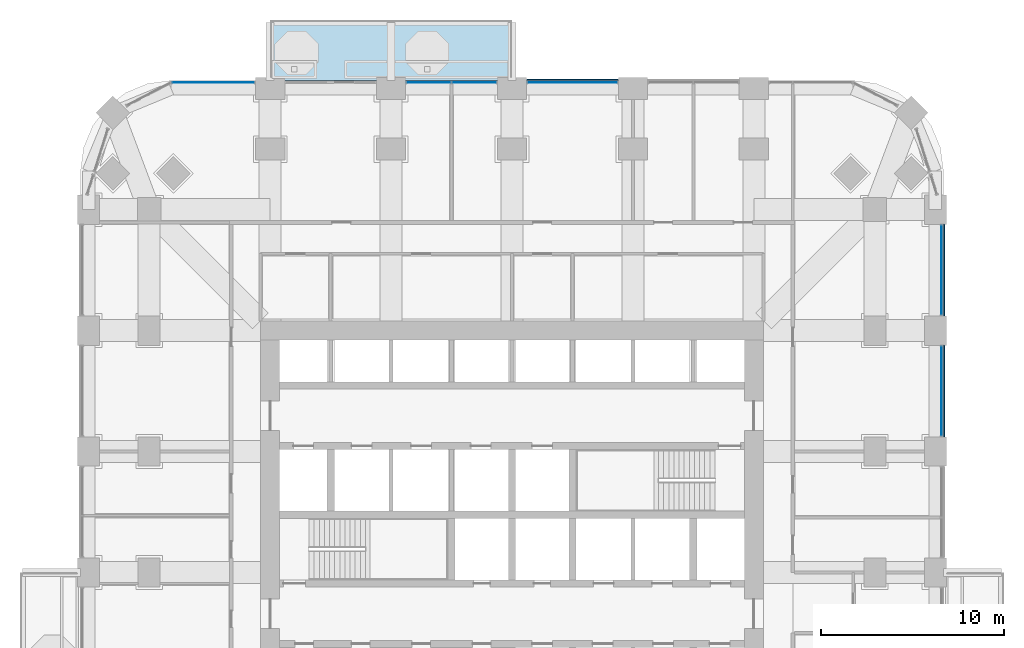
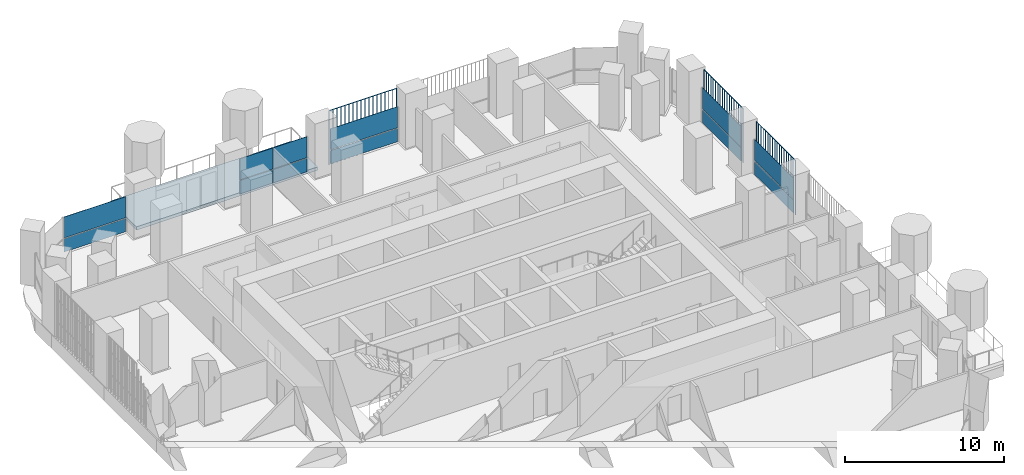
# One storey, part 11 of 21: 15 plates, 1 slab, 5 elements without a shape of their own.
"""IFC4 building model written with IfcOpenShell, lengths in metres."""

from ifc_helpers import new_model, si_unit, direction, frame, origin, origin_2d, place, context, subcontext, project, spatial, polyline, rectangle, outline, extrude, material, layer, layer_set, type_object, element, aggregate, save


model = new_model("IFC4")

# Units and contexts
model_context = context("Model", 3, precision=1e-05, world=origin(), true_north=direction((0.0, 1.0)))
body_context = subcontext(model_context, "Body", "Model", "MODEL_VIEW")
ifc_project = project(units=[si_unit("LENGTHUNIT", "METRE"), si_unit("AREAUNIT", "SQUARE_METRE"), si_unit("VOLUMEUNIT", "CUBIC_METRE"), si_unit("PLANEANGLEUNIT", "RADIAN"), si_unit("MASSUNIT", "GRAM", prefix="KILO")], contexts=[model_context])

# Site, building, storey
site_placement = place(None, origin())
site = spatial("IfcSite", under=ifc_project, at=site_placement, CompositionType="ELEMENT")
building_placement = place(site_placement, origin())
building = spatial("IfcBuilding", under=site, at=building_placement, Name="Cobogo Forest Laboratory Tower", CompositionType="ELEMENT")
storey_placement = place(building_placement, frame((0.0, 0.0, 99.0)))
storey = spatial("IfcBuildingStorey", under=building, at=storey_placement, Name="L22", CompositionType="ELEMENT", Elevation=99.0)

# Slab
ifc_material_1 = material(Name="Concrete HA-40 (C40/50)", Category="concrete")
ifc_layer_1 = layer(ifc_material_1, 0.25)
ifc_layer_set_1 = layer_set([ifc_layer_1], Name="Balcony slab 250")
slab_type = type_object("IfcSlabType", Name="Balcony slab 250", PredefinedType="FLOOR", material=ifc_layer_set_1)
slab_placement = place(storey_placement, frame((0.0, 0.0, -0.25)))
element("IfcSlab", 1, at=slab_placement, inside=storey, type_object=slab_type, Name="Balcony BAL-N1 L22", PredefinedType="FLOOR", context=body_context, shape_type="SweptSolid", body=[
    extrude(outline(polyline([(13.199951171875, 46.64990234375), (26.39990234375, 46.64990234375), (26.39990234375, 49.949951171875), (13.199951171875, 49.949951171875), (13.199951171875, 46.64990234375)])), origin(), (0.0, 0.0, 1.0), 0.25),
])

# Curtain wall, plates
ifc_material_2 = material(Name="Aluminium curtain wall", Category="aluminium")
curtain_wall_type = type_object("IfcCurtainWallType", Name="CW-1 unitised curtain wall, clear glazing, laboratory floors zones A and B", PredefinedType="USERDEFINED", material=ifc_material_2)
curtain_wall_1_placement = place(storey_placement, origin())
curtain_wall_1 = element("IfcCurtainWall", 2, at=curtain_wall_1_placement, inside=storey, type_object=curtain_wall_type, Name="Curtain wall 13 L22", ObjectType="UNITISED CURTAIN WALL", PredefinedType="USERDEFINED")
ifc_material_3 = material(Name="Clear insulated glass", Category="glass")
ifc_layer_2 = layer(ifc_material_3, 0.028076171875)
ifc_layer_set_2 = layer_set([ifc_layer_2], Name="GP-1 clear insulated glass unit 28")
plate_type_1 = type_object("IfcPlateType", Name="GP-1 clear insulated glass unit 28", PredefinedType="CURTAIN_PANEL", material=ifc_layer_set_2)
plate_1_placement = place(storey_placement, frame((49.85009765625, 29.699951171875, 0.0), z_axis=(0.0, 0.0, 1.0), x_axis=(0.0, 1.0, 0.0)))
plate_1 = element("IfcPlate", 3, at=plate_1_placement, type_object=plate_type_1, Name="CW-1 panel 1.1", PredefinedType="CURTAIN_PANEL", context=body_context, shape_type="SweptSolid", body=[
    extrude(rectangle(XDim=4.8798828125, YDim=0.028076171875, at=origin_2d()), origin(), (0.0, 0.0, 1.0), 1.02001953125),
])
plate_2_placement = place(storey_placement, frame((49.85009765625, 29.699951171875, 1.079833984375), z_axis=(0.0, 0.0, 1.0), x_axis=(0.0, 1.0, 0.0)))
plate_2 = element("IfcPlate", 4, at=plate_2_placement, type_object=plate_type_1, Name="CW-1 panel 1.2", PredefinedType="CURTAIN_PANEL", context=body_context, shape_type="SweptSolid", body=[
    extrude(rectangle(XDim=4.8798828125, YDim=0.028076171875, at=origin_2d()), origin(), (0.0, 0.0, 1.0), 1.6201171875),
])
aggregate(curtain_wall_1, [plate_1, plate_2])

curtain_wall_2_placement = place(storey_placement, origin())
curtain_wall_2 = element("IfcCurtainWall", 5, at=curtain_wall_2_placement, inside=storey, type_object=curtain_wall_type, Name="Curtain wall 14 L22", ObjectType="UNITISED CURTAIN WALL", PredefinedType="USERDEFINED")
plate_3_placement = place(storey_placement, frame((49.85009765625, 36.300048828125, 0.0), z_axis=(0.0, 0.0, 1.0), x_axis=(0.0, 1.0, 0.0)))
plate_3 = element("IfcPlate", 6, at=plate_3_placement, type_object=plate_type_1, Name="CW-1 panel 1.1", PredefinedType="CURTAIN_PANEL", context=body_context, shape_type="SweptSolid", body=[
    extrude(rectangle(XDim=4.8798828125, YDim=0.028076171875, at=origin_2d()), origin(), (0.0, 0.0, 1.0), 1.02001953125),
])
plate_4_placement = place(storey_placement, frame((49.85009765625, 36.300048828125, 1.079833984375), z_axis=(0.0, 0.0, 1.0), x_axis=(0.0, 1.0, 0.0)))
plate_4 = element("IfcPlate", 7, at=plate_4_placement, type_object=plate_type_1, Name="CW-1 panel 1.2", PredefinedType="CURTAIN_PANEL", context=body_context, shape_type="SweptSolid", body=[
    extrude(rectangle(XDim=4.8798828125, YDim=0.028076171875, at=origin_2d()), origin(), (0.0, 0.0, 1.0), 1.6201171875),
])
aggregate(curtain_wall_2, [plate_3, plate_4])

curtain_wall_3_placement = place(storey_placement, origin())
curtain_wall_3 = element("IfcCurtainWall", 8, at=curtain_wall_3_placement, inside=storey, type_object=curtain_wall_type, Name="Curtain wall 20 L22", ObjectType="UNITISED CURTAIN WALL", PredefinedType="USERDEFINED")
plate_5_placement = place(storey_placement, frame((29.699951171875, 46.550048828125, 0.0), z_axis=(0.0, 0.0, 1.0), x_axis=(-1.0, 0.0, 0.0)))
plate_5 = element("IfcPlate", 9, at=plate_5_placement, type_object=plate_type_1, Name="CW-1 panel 1.1", PredefinedType="CURTAIN_PANEL", context=body_context, shape_type="SweptSolid", body=[
    extrude(rectangle(XDim=4.8798828125, YDim=0.028076171875, at=origin_2d()), origin(), (0.0, 0.0, 1.0), 1.02001953125),
])
plate_6_placement = place(storey_placement, frame((29.699951171875, 46.550048828125, 1.079833984375), z_axis=(0.0, 0.0, 1.0), x_axis=(-1.0, 0.0, 0.0)))
plate_6 = element("IfcPlate", 10, at=plate_6_placement, type_object=plate_type_1, Name="CW-1 panel 1.2", PredefinedType="CURTAIN_PANEL", context=body_context, shape_type="SweptSolid", body=[
    extrude(rectangle(XDim=4.8798828125, YDim=0.028076171875, at=origin_2d()), origin(), (0.0, 0.0, 1.0), 1.6201171875),
])
aggregate(curtain_wall_3, [plate_5, plate_6])

curtain_wall_4_placement = place(storey_placement, origin())
curtain_wall_4 = element("IfcCurtainWall", 11, at=curtain_wall_4_placement, inside=storey, type_object=curtain_wall_type, Name="Curtain wall 21 L22", ObjectType="UNITISED CURTAIN WALL", PredefinedType="USERDEFINED")
plate_7_placement = place(storey_placement, frame((24.3349609375, 46.550048828125, 0.0), z_axis=(0.0, 0.0, 1.0), x_axis=(-1.0, 0.0, 0.0)))
plate_7 = element("IfcPlate", 12, at=plate_7_placement, type_object=plate_type_1, Name="CW-1 panel 1.1", PredefinedType="CURTAIN_PANEL", context=body_context, shape_type="SweptSolid", body=[
    extrude(rectangle(XDim=2.409912109375, YDim=0.028076171875, at=origin_2d()), origin(), (0.0, 0.0, 1.0), 1.02001953125),
])
plate_8_placement = place(storey_placement, frame((24.3349609375, 46.550048828125, 1.079833984375), z_axis=(0.0, 0.0, 1.0), x_axis=(-1.0, 0.0, 0.0)))
plate_8 = element("IfcPlate", 13, at=plate_8_placement, type_object=plate_type_1, Name="CW-1 panel 1.2", PredefinedType="CURTAIN_PANEL", context=body_context, shape_type="SweptSolid", body=[
    extrude(rectangle(XDim=2.409912109375, YDim=0.028076171875, at=origin_2d()), origin(), (0.0, 0.0, 1.0), 1.6201171875),
])
plate_9_placement = place(storey_placement, frame((21.864990234375, 46.550048828125, 0.0), z_axis=(0.0, 0.0, 1.0), x_axis=(-1.0, 0.0, 0.0)))
plate_9 = element("IfcPlate", 14, at=plate_9_placement, type_object=plate_type_1, Name="CW-1 panel 2.1", PredefinedType="CURTAIN_PANEL", context=body_context, shape_type="SweptSolid", body=[
    extrude(rectangle(XDim=2.409912109375, YDim=0.028076171875, at=origin_2d()), origin(), (0.0, 0.0, 1.0), 1.02001953125),
])
plate_10_placement = place(storey_placement, frame((21.864990234375, 46.550048828125, 1.079833984375), z_axis=(0.0, 0.0, 1.0), x_axis=(-1.0, 0.0, 0.0)))
plate_10 = element("IfcPlate", 15, at=plate_10_placement, type_object=plate_type_1, Name="CW-1 panel 2.2", PredefinedType="CURTAIN_PANEL", context=body_context, shape_type="SweptSolid", body=[
    extrude(rectangle(XDim=2.409912109375, YDim=0.028076171875, at=origin_2d()), origin(), (0.0, 0.0, 1.0), 1.6201171875),
])
aggregate(curtain_wall_4, [plate_7, plate_8, plate_9, plate_10])

curtain_wall_5_placement = place(storey_placement, origin())
curtain_wall_5 = element("IfcCurtainWall", 16, at=curtain_wall_5_placement, inside=storey, type_object=curtain_wall_type, Name="Curtain wall 23 L22", ObjectType="UNITISED CURTAIN WALL", PredefinedType="USERDEFINED")
plate_11_placement = place(storey_placement, frame((10.10009765625, 46.550048828125, 0.0), z_axis=(0.0, 0.0, 1.0), x_axis=(-1.0, 0.0, 0.0)))
plate_11 = element("IfcPlate", 17, at=plate_11_placement, type_object=plate_type_1, Name="CW-1 panel 1.1", PredefinedType="CURTAIN_PANEL", context=body_context, shape_type="SweptSolid", body=[
    extrude(rectangle(XDim=4.47998046875, YDim=0.028076171875, at=origin_2d()), origin(), (0.0, 0.0, 1.0), 1.02001953125),
])
plate_12_placement = place(storey_placement, frame((10.10009765625, 46.550048828125, 1.079833984375), z_axis=(0.0, 0.0, 1.0), x_axis=(-1.0, 0.0, 0.0)))
plate_12 = element("IfcPlate", 18, at=plate_12_placement, type_object=plate_type_1, Name="CW-1 panel 1.2", PredefinedType="CURTAIN_PANEL", context=body_context, shape_type="SweptSolid", body=[
    extrude(rectangle(XDim=4.47998046875, YDim=0.028076171875, at=origin_2d()), origin(), (0.0, 0.0, 1.0), 1.6201171875),
])
aggregate(curtain_wall_5, [plate_11, plate_12])

# Plates
ifc_material_4 = material(Name="Terracotta", Category="masonry")
plate_type_2 = type_object("IfcPlateType", Name="TB1 terracotta baguette screen", PredefinedType="USERDEFINED", material=ifc_material_4)
plate_13_placement = place(storey_placement, frame((49.977783203125, 27.231201171875, -0.14990234375)))
element("IfcPlate", 19, at=plate_13_placement, inside=storey, type_object=plate_type_2, Name="Baguette screen E4 L22", ObjectType="BAGUETTE SCREEN", PredefinedType="USERDEFINED", context=body_context, shape_type="SweptSolid", body=[
    extrude(outline(polyline([(0.02880859375, 0.011962890625), (0.011962890625, 0.02880859375), (-0.011962890625, 0.02880859375), (-0.02880859375, 0.011962890625), (-0.02880859375, -0.011962890625), (-0.011962890625, -0.02880859375), (0.011962890625, -0.02880859375), (0.02880859375, -0.011962890625), (0.02880859375, 0.011962890625)])), frame((0.0, 0.0, 4.168701171875), z_axis=(0.0, 1.0, 0.0), x_axis=(-1.0, 0.0, 0.0)), (0.0, 0.0, 1.0), 4.9375),
    extrude(outline(polyline([(0.02880859375, 0.011962890625), (0.011962890625, 0.02880859375), (-0.011962890625, 0.02880859375), (-0.02880859375, 0.011962890625), (-0.02880859375, -0.011962890625), (-0.011962890625, -0.02880859375), (0.011962890625, -0.02880859375), (0.02880859375, -0.011962890625), (0.02880859375, 0.011962890625)])), origin(), (0.0, 0.0, 1.0), 4.137451171875),
    extrude(outline(polyline([(0.02880859375, 0.011962890625), (0.011962890625, 0.02880859375), (-0.011962890625, 0.02880859375), (-0.02880859375, 0.011962890625), (-0.02880859375, -0.011962890625), (-0.011962890625, -0.02880859375), (0.011962890625, -0.02880859375), (0.02880859375, -0.011962890625), (0.02880859375, 0.011962890625)])), frame((0.0, 0.29052734375, 0.0)), (0.0, 0.0, 1.0), 4.137451171875),
    extrude(outline(polyline([(0.02880859375, 0.011962890625), (0.011962890625, 0.02880859375), (-0.011962890625, 0.02880859375), (-0.02880859375, 0.011962890625), (-0.02880859375, -0.011962890625), (-0.011962890625, -0.02880859375), (0.011962890625, -0.02880859375), (0.02880859375, -0.011962890625), (0.02880859375, 0.011962890625)])), frame((0.0, 0.580810546875, 0.0)), (0.0, 0.0, 1.0), 4.137451171875),
    extrude(outline(polyline([(0.02880859375, 0.011962890625), (0.011962890625, 0.02880859375), (-0.011962890625, 0.02880859375), (-0.02880859375, 0.011962890625), (-0.02880859375, -0.011962890625), (-0.011962890625, -0.02880859375), (0.011962890625, -0.02880859375), (0.02880859375, -0.011962890625), (0.02880859375, 0.011962890625)])), frame((0.0, 0.871337890625, 0.0)), (0.0, 0.0, 1.0), 4.137451171875),
    extrude(outline(polyline([(0.02880859375, 0.011962890625), (0.011962890625, 0.02880859375), (-0.011962890625, 0.02880859375), (-0.02880859375, 0.011962890625), (-0.02880859375, -0.011962890625), (-0.011962890625, -0.02880859375), (0.011962890625, -0.02880859375), (0.02880859375, -0.011962890625), (0.02880859375, 0.011962890625)])), frame((0.0, 1.161865234375, 0.0)), (0.0, 0.0, 1.0), 4.137451171875),
    extrude(outline(polyline([(0.02880859375, 0.011962890625), (0.011962890625, 0.02880859375), (-0.011962890625, 0.02880859375), (-0.02880859375, 0.011962890625), (-0.02880859375, -0.011962890625), (-0.011962890625, -0.02880859375), (0.011962890625, -0.02880859375), (0.02880859375, -0.011962890625), (0.02880859375, 0.011962890625)])), frame((0.0, 1.4521484375, 0.0)), (0.0, 0.0, 1.0), 4.137451171875),
    extrude(outline(polyline([(0.02880859375, 0.011962890625), (0.011962890625, 0.02880859375), (-0.011962890625, 0.02880859375), (-0.02880859375, 0.011962890625), (-0.02880859375, -0.011962890625), (-0.011962890625, -0.02880859375), (0.011962890625, -0.02880859375), (0.02880859375, -0.011962890625), (0.02880859375, 0.011962890625)])), frame((0.0, 1.74267578125, 0.0)), (0.0, 0.0, 1.0), 4.137451171875),
    extrude(outline(polyline([(0.02880859375, 0.011962890625), (0.011962890625, 0.02880859375), (-0.011962890625, 0.02880859375), (-0.02880859375, 0.011962890625), (-0.02880859375, -0.011962890625), (-0.011962890625, -0.02880859375), (0.011962890625, -0.02880859375), (0.02880859375, -0.011962890625), (0.02880859375, 0.011962890625)])), frame((0.0, 2.033203125, 0.0)), (0.0, 0.0, 1.0), 4.137451171875),
    extrude(outline(polyline([(0.02880859375, 0.011962890625), (0.011962890625, 0.02880859375), (-0.011962890625, 0.02880859375), (-0.02880859375, 0.011962890625), (-0.02880859375, -0.011962890625), (-0.011962890625, -0.02880859375), (0.011962890625, -0.02880859375), (0.02880859375, -0.011962890625), (0.02880859375, 0.011962890625)])), frame((0.0, 2.323486328125, 0.0)), (0.0, 0.0, 1.0), 4.137451171875),
    extrude(outline(polyline([(0.02880859375, 0.011962890625), (0.011962890625, 0.02880859375), (-0.011962890625, 0.02880859375), (-0.02880859375, 0.011962890625), (-0.02880859375, -0.011962890625), (-0.011962890625, -0.02880859375), (0.011962890625, -0.02880859375), (0.02880859375, -0.011962890625), (0.02880859375, 0.011962890625)])), frame((0.0, 2.614013671875, 0.0)), (0.0, 0.0, 1.0), 4.137451171875),
    extrude(outline(polyline([(0.02880859375, 0.011962890625), (0.011962890625, 0.02880859375), (-0.011962890625, 0.02880859375), (-0.02880859375, 0.011962890625), (-0.02880859375, -0.011962890625), (-0.011962890625, -0.02880859375), (0.011962890625, -0.02880859375), (0.02880859375, -0.011962890625), (0.02880859375, 0.011962890625)])), frame((0.0, 2.904296875, 0.0)), (0.0, 0.0, 1.0), 4.137451171875),
    extrude(outline(polyline([(0.02880859375, 0.011962890625), (0.011962890625, 0.02880859375), (-0.011962890625, 0.02880859375), (-0.02880859375, 0.011962890625), (-0.02880859375, -0.011962890625), (-0.011962890625, -0.02880859375), (0.011962890625, -0.02880859375), (0.02880859375, -0.011962890625), (0.02880859375, 0.011962890625)])), frame((0.0, 3.19482421875, 0.0)), (0.0, 0.0, 1.0), 4.137451171875),
    extrude(outline(polyline([(0.02880859375, 0.011962890625), (0.011962890625, 0.02880859375), (-0.011962890625, 0.02880859375), (-0.02880859375, 0.011962890625), (-0.02880859375, -0.011962890625), (-0.011962890625, -0.02880859375), (0.011962890625, -0.02880859375), (0.02880859375, -0.011962890625), (0.02880859375, 0.011962890625)])), frame((0.0, 3.4853515625, 0.0)), (0.0, 0.0, 1.0), 4.137451171875),
    extrude(outline(polyline([(0.02880859375, 0.011962890625), (0.011962890625, 0.02880859375), (-0.011962890625, 0.02880859375), (-0.02880859375, 0.011962890625), (-0.02880859375, -0.011962890625), (-0.011962890625, -0.02880859375), (0.011962890625, -0.02880859375), (0.02880859375, -0.011962890625), (0.02880859375, 0.011962890625)])), frame((0.0, 3.775634765625, 0.0)), (0.0, 0.0, 1.0), 4.137451171875),
    extrude(outline(polyline([(0.02880859375, 0.011962890625), (0.011962890625, 0.02880859375), (-0.011962890625, 0.02880859375), (-0.02880859375, 0.011962890625), (-0.02880859375, -0.011962890625), (-0.011962890625, -0.02880859375), (0.011962890625, -0.02880859375), (0.02880859375, -0.011962890625), (0.02880859375, 0.011962890625)])), frame((0.0, 4.066162109375, 0.0)), (0.0, 0.0, 1.0), 4.137451171875),
    extrude(outline(polyline([(0.02880859375, 0.011962890625), (0.011962890625, 0.02880859375), (-0.011962890625, 0.02880859375), (-0.02880859375, 0.011962890625), (-0.02880859375, -0.011962890625), (-0.011962890625, -0.02880859375), (0.011962890625, -0.02880859375), (0.02880859375, -0.011962890625), (0.02880859375, 0.011962890625)])), frame((0.0, 4.356689453125, 0.0)), (0.0, 0.0, 1.0), 4.137451171875),
    extrude(outline(polyline([(0.02880859375, 0.011962890625), (0.011962890625, 0.02880859375), (-0.011962890625, 0.02880859375), (-0.02880859375, 0.011962890625), (-0.02880859375, -0.011962890625), (-0.011962890625, -0.02880859375), (0.011962890625, -0.02880859375), (0.02880859375, -0.011962890625), (0.02880859375, 0.011962890625)])), frame((0.0, 4.64697265625, 0.0)), (0.0, 0.0, 1.0), 4.137451171875),
    extrude(outline(polyline([(0.02880859375, 0.011962890625), (0.011962890625, 0.02880859375), (-0.011962890625, 0.02880859375), (-0.02880859375, 0.011962890625), (-0.02880859375, -0.011962890625), (-0.011962890625, -0.02880859375), (0.011962890625, -0.02880859375), (0.02880859375, -0.011962890625), (0.02880859375, 0.011962890625)])), frame((0.0, 4.9375, 0.0)), (0.0, 0.0, 1.0), 4.137451171875),
])
plate_14_placement = place(storey_placement, frame((49.977783203125, 33.831298828125, -0.14990234375)))
element("IfcPlate", 20, at=plate_14_placement, inside=storey, type_object=plate_type_2, Name="Baguette screen E5 L22", ObjectType="BAGUETTE SCREEN", PredefinedType="USERDEFINED", context=body_context, shape_type="SweptSolid", body=[
    extrude(outline(polyline([(0.02880859375, 0.011962890625), (0.011962890625, 0.02880859375), (-0.011962890625, 0.02880859375), (-0.02880859375, 0.011962890625), (-0.02880859375, -0.011962890625), (-0.011962890625, -0.02880859375), (0.011962890625, -0.02880859375), (0.02880859375, -0.011962890625), (0.02880859375, 0.011962890625)])), frame((0.0, 0.0, 4.168701171875), z_axis=(0.0, 1.0, 0.0), x_axis=(-1.0, 0.0, 0.0)), (0.0, 0.0, 1.0), 4.9375),
    extrude(outline(polyline([(0.02880859375, 0.011962890625), (0.011962890625, 0.02880859375), (-0.011962890625, 0.02880859375), (-0.02880859375, 0.011962890625), (-0.02880859375, -0.011962890625), (-0.011962890625, -0.02880859375), (0.011962890625, -0.02880859375), (0.02880859375, -0.011962890625), (0.02880859375, 0.011962890625)])), origin(), (0.0, 0.0, 1.0), 4.137451171875),
    extrude(outline(polyline([(0.02880859375, 0.011962890625), (0.011962890625, 0.02880859375), (-0.011962890625, 0.02880859375), (-0.02880859375, 0.011962890625), (-0.02880859375, -0.011962890625), (-0.011962890625, -0.02880859375), (0.011962890625, -0.02880859375), (0.02880859375, -0.011962890625), (0.02880859375, 0.011962890625)])), frame((0.0, 0.29052734375, 0.0)), (0.0, 0.0, 1.0), 4.137451171875),
    extrude(outline(polyline([(0.02880859375, 0.011962890625), (0.011962890625, 0.02880859375), (-0.011962890625, 0.02880859375), (-0.02880859375, 0.011962890625), (-0.02880859375, -0.011962890625), (-0.011962890625, -0.02880859375), (0.011962890625, -0.02880859375), (0.02880859375, -0.011962890625), (0.02880859375, 0.011962890625)])), frame((0.0, 0.580810546875, 0.0)), (0.0, 0.0, 1.0), 4.137451171875),
    extrude(outline(polyline([(0.02880859375, 0.011962890625), (0.011962890625, 0.02880859375), (-0.011962890625, 0.02880859375), (-0.02880859375, 0.011962890625), (-0.02880859375, -0.011962890625), (-0.011962890625, -0.02880859375), (0.011962890625, -0.02880859375), (0.02880859375, -0.011962890625), (0.02880859375, 0.011962890625)])), frame((0.0, 0.871337890625, 0.0)), (0.0, 0.0, 1.0), 4.137451171875),
    extrude(outline(polyline([(0.02880859375, 0.011962890625), (0.011962890625, 0.02880859375), (-0.011962890625, 0.02880859375), (-0.02880859375, 0.011962890625), (-0.02880859375, -0.011962890625), (-0.011962890625, -0.02880859375), (0.011962890625, -0.02880859375), (0.02880859375, -0.011962890625), (0.02880859375, 0.011962890625)])), frame((0.0, 1.161865234375, 0.0)), (0.0, 0.0, 1.0), 4.137451171875),
    extrude(outline(polyline([(0.02880859375, 0.011962890625), (0.011962890625, 0.02880859375), (-0.011962890625, 0.02880859375), (-0.02880859375, 0.011962890625), (-0.02880859375, -0.011962890625), (-0.011962890625, -0.02880859375), (0.011962890625, -0.02880859375), (0.02880859375, -0.011962890625), (0.02880859375, 0.011962890625)])), frame((0.0, 1.4521484375, 0.0)), (0.0, 0.0, 1.0), 4.137451171875),
    extrude(outline(polyline([(0.02880859375, 0.011962890625), (0.011962890625, 0.02880859375), (-0.011962890625, 0.02880859375), (-0.02880859375, 0.011962890625), (-0.02880859375, -0.011962890625), (-0.011962890625, -0.02880859375), (0.011962890625, -0.02880859375), (0.02880859375, -0.011962890625), (0.02880859375, 0.011962890625)])), frame((0.0, 1.74267578125, 0.0)), (0.0, 0.0, 1.0), 4.137451171875),
    extrude(outline(polyline([(0.02880859375, 0.011962890625), (0.011962890625, 0.02880859375), (-0.011962890625, 0.02880859375), (-0.02880859375, 0.011962890625), (-0.02880859375, -0.011962890625), (-0.011962890625, -0.02880859375), (0.011962890625, -0.02880859375), (0.02880859375, -0.011962890625), (0.02880859375, 0.011962890625)])), frame((0.0, 2.033203125, 0.0)), (0.0, 0.0, 1.0), 4.137451171875),
    extrude(outline(polyline([(0.02880859375, 0.011962890625), (0.011962890625, 0.02880859375), (-0.011962890625, 0.02880859375), (-0.02880859375, 0.011962890625), (-0.02880859375, -0.011962890625), (-0.011962890625, -0.02880859375), (0.011962890625, -0.02880859375), (0.02880859375, -0.011962890625), (0.02880859375, 0.011962890625)])), frame((0.0, 2.323486328125, 0.0)), (0.0, 0.0, 1.0), 4.137451171875),
    extrude(outline(polyline([(0.02880859375, 0.011962890625), (0.011962890625, 0.02880859375), (-0.011962890625, 0.02880859375), (-0.02880859375, 0.011962890625), (-0.02880859375, -0.011962890625), (-0.011962890625, -0.02880859375), (0.011962890625, -0.02880859375), (0.02880859375, -0.011962890625), (0.02880859375, 0.011962890625)])), frame((0.0, 2.614013671875, 0.0)), (0.0, 0.0, 1.0), 4.137451171875),
    extrude(outline(polyline([(0.02880859375, 0.011962890625), (0.011962890625, 0.02880859375), (-0.011962890625, 0.02880859375), (-0.02880859375, 0.011962890625), (-0.02880859375, -0.011962890625), (-0.011962890625, -0.02880859375), (0.011962890625, -0.02880859375), (0.02880859375, -0.011962890625), (0.02880859375, 0.011962890625)])), frame((0.0, 2.904296875, 0.0)), (0.0, 0.0, 1.0), 4.137451171875),
    extrude(outline(polyline([(0.02880859375, 0.011962890625), (0.011962890625, 0.02880859375), (-0.011962890625, 0.02880859375), (-0.02880859375, 0.011962890625), (-0.02880859375, -0.011962890625), (-0.011962890625, -0.02880859375), (0.011962890625, -0.02880859375), (0.02880859375, -0.011962890625), (0.02880859375, 0.011962890625)])), frame((0.0, 3.19482421875, 0.0)), (0.0, 0.0, 1.0), 4.137451171875),
    extrude(outline(polyline([(0.02880859375, 0.011962890625), (0.011962890625, 0.02880859375), (-0.011962890625, 0.02880859375), (-0.02880859375, 0.011962890625), (-0.02880859375, -0.011962890625), (-0.011962890625, -0.02880859375), (0.011962890625, -0.02880859375), (0.02880859375, -0.011962890625), (0.02880859375, 0.011962890625)])), frame((0.0, 3.4853515625, 0.0)), (0.0, 0.0, 1.0), 4.137451171875),
    extrude(outline(polyline([(0.02880859375, 0.011962890625), (0.011962890625, 0.02880859375), (-0.011962890625, 0.02880859375), (-0.02880859375, 0.011962890625), (-0.02880859375, -0.011962890625), (-0.011962890625, -0.02880859375), (0.011962890625, -0.02880859375), (0.02880859375, -0.011962890625), (0.02880859375, 0.011962890625)])), frame((0.0, 3.775634765625, 0.0)), (0.0, 0.0, 1.0), 4.137451171875),
    extrude(outline(polyline([(0.02880859375, 0.011962890625), (0.011962890625, 0.02880859375), (-0.011962890625, 0.02880859375), (-0.02880859375, 0.011962890625), (-0.02880859375, -0.011962890625), (-0.011962890625, -0.02880859375), (0.011962890625, -0.02880859375), (0.02880859375, -0.011962890625), (0.02880859375, 0.011962890625)])), frame((0.0, 4.066162109375, 0.0)), (0.0, 0.0, 1.0), 4.137451171875),
    extrude(outline(polyline([(0.02880859375, 0.011962890625), (0.011962890625, 0.02880859375), (-0.011962890625, 0.02880859375), (-0.02880859375, 0.011962890625), (-0.02880859375, -0.011962890625), (-0.011962890625, -0.02880859375), (0.011962890625, -0.02880859375), (0.02880859375, -0.011962890625), (0.02880859375, 0.011962890625)])), frame((0.0, 4.356689453125, 0.0)), (0.0, 0.0, 1.0), 4.137451171875),
    extrude(outline(polyline([(0.02880859375, 0.011962890625), (0.011962890625, 0.02880859375), (-0.011962890625, 0.02880859375), (-0.02880859375, 0.011962890625), (-0.02880859375, -0.011962890625), (-0.011962890625, -0.02880859375), (0.011962890625, -0.02880859375), (0.02880859375, -0.011962890625), (0.02880859375, 0.011962890625)])), frame((0.0, 4.64697265625, 0.0)), (0.0, 0.0, 1.0), 4.137451171875),
    extrude(outline(polyline([(0.02880859375, 0.011962890625), (0.011962890625, 0.02880859375), (-0.011962890625, 0.02880859375), (-0.02880859375, 0.011962890625), (-0.02880859375, -0.011962890625), (-0.011962890625, -0.02880859375), (0.011962890625, -0.02880859375), (0.02880859375, -0.011962890625), (0.02880859375, 0.011962890625)])), frame((0.0, 4.9375, 0.0)), (0.0, 0.0, 1.0), 4.137451171875),
])
plate_15_placement = place(storey_placement, frame((27.231201171875, 46.677978515625, -0.14990234375)))
element("IfcPlate", 21, at=plate_15_placement, inside=storey, type_object=plate_type_2, Name="Baguette screen N3 L22", ObjectType="BAGUETTE SCREEN", PredefinedType="USERDEFINED", context=body_context, shape_type="SweptSolid", body=[
    extrude(outline(polyline([(0.02880859375, 0.011962890625), (0.011962890625, 0.02880859375), (-0.011962890625, 0.02880859375), (-0.02880859375, 0.011962890625), (-0.02880859375, -0.011962890625), (-0.011962890625, -0.02880859375), (0.011962890625, -0.02880859375), (0.02880859375, -0.011962890625), (0.02880859375, 0.011962890625)])), frame((0.0, 0.0, 4.168701171875), z_axis=(1.0, 0.0, 0.0), x_axis=(0.0, 1.0, 0.0)), (0.0, 0.0, 1.0), 4.9375),
    extrude(outline(polyline([(0.02880859375, 0.011962890625), (0.011962890625, 0.02880859375), (-0.011962890625, 0.02880859375), (-0.02880859375, 0.011962890625), (-0.02880859375, -0.011962890625), (-0.011962890625, -0.02880859375), (0.011962890625, -0.02880859375), (0.02880859375, -0.011962890625), (0.02880859375, 0.011962890625)])), origin(), (0.0, 0.0, 1.0), 4.137451171875),
    extrude(outline(polyline([(0.02880859375, 0.011962890625), (0.011962890625, 0.02880859375), (-0.011962890625, 0.02880859375), (-0.02880859375, 0.011962890625), (-0.02880859375, -0.011962890625), (-0.011962890625, -0.02880859375), (0.011962890625, -0.02880859375), (0.02880859375, -0.011962890625), (0.02880859375, 0.011962890625)])), frame((0.29052734375, 0.0, 0.0)), (0.0, 0.0, 1.0), 4.137451171875),
    extrude(outline(polyline([(0.02880859375, 0.011962890625), (0.011962890625, 0.02880859375), (-0.011962890625, 0.02880859375), (-0.02880859375, 0.011962890625), (-0.02880859375, -0.011962890625), (-0.011962890625, -0.02880859375), (0.011962890625, -0.02880859375), (0.02880859375, -0.011962890625), (0.02880859375, 0.011962890625)])), frame((0.580810546875, 0.0, 0.0)), (0.0, 0.0, 1.0), 4.137451171875),
    extrude(outline(polyline([(0.02880859375, 0.011962890625), (0.011962890625, 0.02880859375), (-0.011962890625, 0.02880859375), (-0.02880859375, 0.011962890625), (-0.02880859375, -0.011962890625), (-0.011962890625, -0.02880859375), (0.011962890625, -0.02880859375), (0.02880859375, -0.011962890625), (0.02880859375, 0.011962890625)])), frame((0.871337890625, 0.0, 0.0)), (0.0, 0.0, 1.0), 4.137451171875),
    extrude(outline(polyline([(0.02880859375, 0.011962890625), (0.011962890625, 0.02880859375), (-0.011962890625, 0.02880859375), (-0.02880859375, 0.011962890625), (-0.02880859375, -0.011962890625), (-0.011962890625, -0.02880859375), (0.011962890625, -0.02880859375), (0.02880859375, -0.011962890625), (0.02880859375, 0.011962890625)])), frame((1.161865234375, 0.0, 0.0)), (0.0, 0.0, 1.0), 4.137451171875),
    extrude(outline(polyline([(0.02880859375, 0.011962890625), (0.011962890625, 0.02880859375), (-0.011962890625, 0.02880859375), (-0.02880859375, 0.011962890625), (-0.02880859375, -0.011962890625), (-0.011962890625, -0.02880859375), (0.011962890625, -0.02880859375), (0.02880859375, -0.011962890625), (0.02880859375, 0.011962890625)])), frame((1.4521484375, 0.0, 0.0)), (0.0, 0.0, 1.0), 4.137451171875),
    extrude(outline(polyline([(0.02880859375, 0.011962890625), (0.011962890625, 0.02880859375), (-0.011962890625, 0.02880859375), (-0.02880859375, 0.011962890625), (-0.02880859375, -0.011962890625), (-0.011962890625, -0.02880859375), (0.011962890625, -0.02880859375), (0.02880859375, -0.011962890625), (0.02880859375, 0.011962890625)])), frame((1.74267578125, 0.0, 0.0)), (0.0, 0.0, 1.0), 4.137451171875),
    extrude(outline(polyline([(0.02880859375, 0.011962890625), (0.011962890625, 0.02880859375), (-0.011962890625, 0.02880859375), (-0.02880859375, 0.011962890625), (-0.02880859375, -0.011962890625), (-0.011962890625, -0.02880859375), (0.011962890625, -0.02880859375), (0.02880859375, -0.011962890625), (0.02880859375, 0.011962890625)])), frame((2.033203125, 0.0, 0.0)), (0.0, 0.0, 1.0), 4.137451171875),
    extrude(outline(polyline([(0.02880859375, 0.011962890625), (0.011962890625, 0.02880859375), (-0.011962890625, 0.02880859375), (-0.02880859375, 0.011962890625), (-0.02880859375, -0.011962890625), (-0.011962890625, -0.02880859375), (0.011962890625, -0.02880859375), (0.02880859375, -0.011962890625), (0.02880859375, 0.011962890625)])), frame((2.323486328125, 0.0, 0.0)), (0.0, 0.0, 1.0), 4.137451171875),
    extrude(outline(polyline([(0.02880859375, 0.011962890625), (0.011962890625, 0.02880859375), (-0.011962890625, 0.02880859375), (-0.02880859375, 0.011962890625), (-0.02880859375, -0.011962890625), (-0.011962890625, -0.02880859375), (0.011962890625, -0.02880859375), (0.02880859375, -0.011962890625), (0.02880859375, 0.011962890625)])), frame((2.614013671875, 0.0, 0.0)), (0.0, 0.0, 1.0), 4.137451171875),
    extrude(outline(polyline([(0.02880859375, 0.011962890625), (0.011962890625, 0.02880859375), (-0.011962890625, 0.02880859375), (-0.02880859375, 0.011962890625), (-0.02880859375, -0.011962890625), (-0.011962890625, -0.02880859375), (0.011962890625, -0.02880859375), (0.02880859375, -0.011962890625), (0.02880859375, 0.011962890625)])), frame((2.904296875, 0.0, 0.0)), (0.0, 0.0, 1.0), 4.137451171875),
    extrude(outline(polyline([(0.02880859375, 0.011962890625), (0.011962890625, 0.02880859375), (-0.011962890625, 0.02880859375), (-0.02880859375, 0.011962890625), (-0.02880859375, -0.011962890625), (-0.011962890625, -0.02880859375), (0.011962890625, -0.02880859375), (0.02880859375, -0.011962890625), (0.02880859375, 0.011962890625)])), frame((3.19482421875, 0.0, 0.0)), (0.0, 0.0, 1.0), 4.137451171875),
    extrude(outline(polyline([(0.02880859375, 0.011962890625), (0.011962890625, 0.02880859375), (-0.011962890625, 0.02880859375), (-0.02880859375, 0.011962890625), (-0.02880859375, -0.011962890625), (-0.011962890625, -0.02880859375), (0.011962890625, -0.02880859375), (0.02880859375, -0.011962890625), (0.02880859375, 0.011962890625)])), frame((3.4853515625, 0.0, 0.0)), (0.0, 0.0, 1.0), 4.137451171875),
    extrude(outline(polyline([(0.02880859375, 0.011962890625), (0.011962890625, 0.02880859375), (-0.011962890625, 0.02880859375), (-0.02880859375, 0.011962890625), (-0.02880859375, -0.011962890625), (-0.011962890625, -0.02880859375), (0.011962890625, -0.02880859375), (0.02880859375, -0.011962890625), (0.02880859375, 0.011962890625)])), frame((3.775634765625, 0.0, 0.0)), (0.0, 0.0, 1.0), 4.137451171875),
    extrude(outline(polyline([(0.02880859375, 0.011962890625), (0.011962890625, 0.02880859375), (-0.011962890625, 0.02880859375), (-0.02880859375, 0.011962890625), (-0.02880859375, -0.011962890625), (-0.011962890625, -0.02880859375), (0.011962890625, -0.02880859375), (0.02880859375, -0.011962890625), (0.02880859375, 0.011962890625)])), frame((4.066162109375, 0.0, 0.0)), (0.0, 0.0, 1.0), 4.137451171875),
    extrude(outline(polyline([(0.02880859375, 0.011962890625), (0.011962890625, 0.02880859375), (-0.011962890625, 0.02880859375), (-0.02880859375, 0.011962890625), (-0.02880859375, -0.011962890625), (-0.011962890625, -0.02880859375), (0.011962890625, -0.02880859375), (0.02880859375, -0.011962890625), (0.02880859375, 0.011962890625)])), frame((4.356689453125, 0.0, 0.0)), (0.0, 0.0, 1.0), 4.137451171875),
    extrude(outline(polyline([(0.02880859375, 0.011962890625), (0.011962890625, 0.02880859375), (-0.011962890625, 0.02880859375), (-0.02880859375, 0.011962890625), (-0.02880859375, -0.011962890625), (-0.011962890625, -0.02880859375), (0.011962890625, -0.02880859375), (0.02880859375, -0.011962890625), (0.02880859375, 0.011962890625)])), frame((4.64697265625, 0.0, 0.0)), (0.0, 0.0, 1.0), 4.137451171875),
    extrude(outline(polyline([(0.02880859375, 0.011962890625), (0.011962890625, 0.02880859375), (-0.011962890625, 0.02880859375), (-0.02880859375, 0.011962890625), (-0.02880859375, -0.011962890625), (-0.011962890625, -0.02880859375), (0.011962890625, -0.02880859375), (0.02880859375, -0.011962890625), (0.02880859375, 0.011962890625)])), frame((4.9375, 0.0, 0.0)), (0.0, 0.0, 1.0), 4.137451171875),
])

save(model, "model.ifc")
